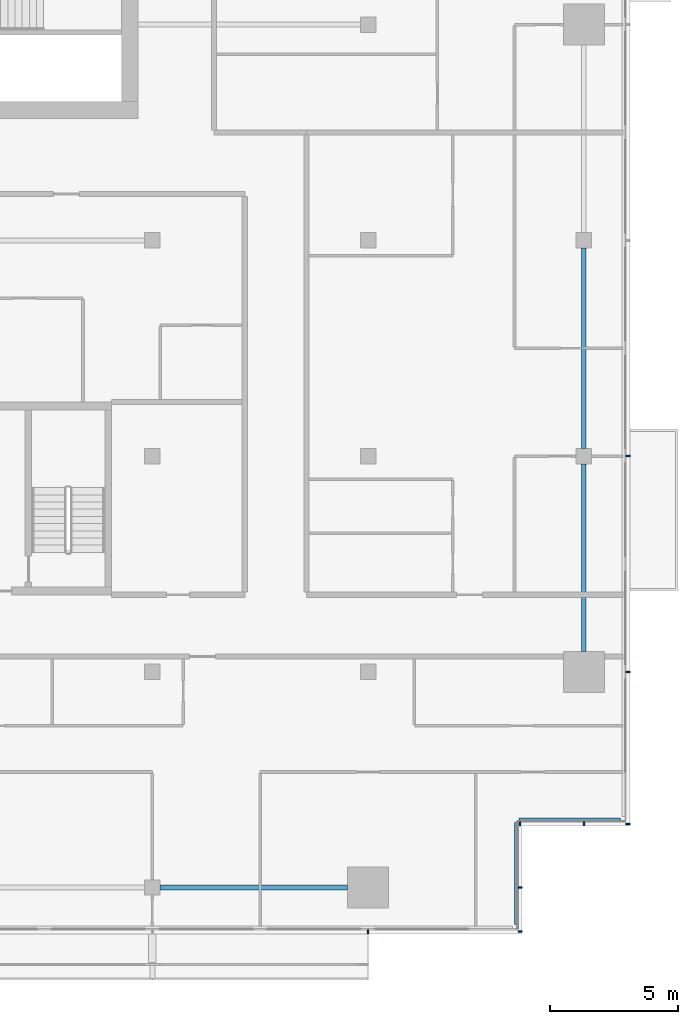
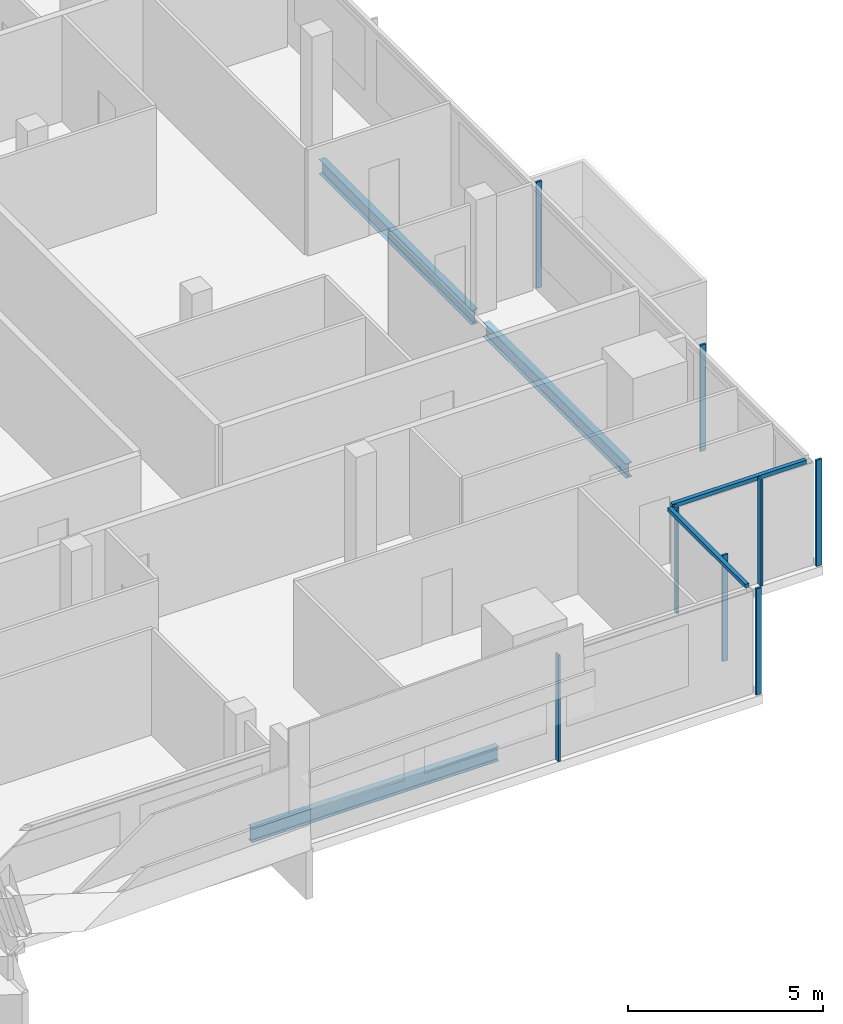
# One storey, part 11 of 27: 10 members, 3 beams, 4 elements without a shape of their own.
"""IFC4 building model written with IfcOpenShell, lengths in metres."""

from ifc_helpers import new_model, si_unit, direction, frame, origin, origin_2d, place, context, subcontext, project, spatial, rectangle, i_section, extrude, material, material_profile, profile_set, type_object, element, aggregate, save


model = new_model("IFC4")

# Units and contexts
model_context = context("Model", 3, precision=1e-05, world=origin(), true_north=direction((0.0, 1.0)))
body_context = subcontext(model_context, "Body", "Model", "MODEL_VIEW")
ifc_project = project(units=[si_unit("LENGTHUNIT", "METRE"), si_unit("AREAUNIT", "SQUARE_METRE"), si_unit("VOLUMEUNIT", "CUBIC_METRE"), si_unit("PLANEANGLEUNIT", "RADIAN"), si_unit("MASSUNIT", "GRAM", prefix="KILO")], contexts=[model_context])

# Site, building, storey
site_placement = place(None, origin())
site = spatial("IfcSite", under=ifc_project, at=site_placement, CompositionType="ELEMENT")
building_placement = place(site_placement, origin())
building = spatial("IfcBuilding", under=site, at=building_placement, Name="Saffron Gate Tower", CompositionType="ELEMENT")
storey_placement = place(building_placement, frame((0.0, 0.0, 234.300048828125)))
storey = spatial("IfcBuildingStorey", under=building, at=storey_placement, Name="L57", CompositionType="ELEMENT", Elevation=234.300048828125)

# Beams
ifc_material_1 = material(Name="Structural steel S355", Category="steel")
ifc_material_profile_1 = material_profile(ifc_material_1, i_section(OverallWidth=0.18994140625, OverallDepth=0.449951171875, WebThickness=0.009521484375, FlangeThickness=0.0146484375, FilletRadius=0.02099609375, at=origin_2d()))
ifc_profile_set_1 = profile_set([ifc_material_profile_1], Name="Structural steel S355")
beam_type = type_object("IfcBeamType", Name="B7 IPE 450", PredefinedType="SPANDREL", material=ifc_profile_set_1)
for number, where, z_axis, x_axis, name in (
    (1, (108.89990234375, 31.800048828125, -0.505126953125), (1.0, 0.0, 0.0), (0.0, 1.0, 0.0), "B7 SPANDREL BEAM"),
    (2, (125.39990234375, 41.0, -0.505126953125), (0.0, 1.0, 0.0), (-1.0, 0.0, 0.0), "B7 SPANDREL BEAM"),
):
    element("IfcBeam", number, at=place(storey_placement, frame(where, z_axis=z_axis, x_axis=x_axis)), inside=storey, type_object=beam_type, Name=name, PredefinedType="SPANDREL", context=body_context, shape_type="SweptSolid", body=[
        extrude(i_section(OverallWidth=0.18994140625, OverallDepth=0.449951171875, WebThickness=0.009521484375, FlangeThickness=0.0146484375, FilletRadius=0.02099609375, at=origin_2d()), origin(), (0.0, 0.0, 1.0), 7.300048828125),
    ])
beam_placement = place(storey_placement, frame((125.39990234375, 48.89990234375, -0.505126953125), z_axis=(0.0, 1.0, 0.0), x_axis=(-1.0, 0.0, 0.0)))
element("IfcBeam", 3, at=beam_placement, inside=storey, type_object=beam_type, Name="B7 SPANDREL BEAM", PredefinedType="SPANDREL", context=body_context, shape_type="SweptSolid", body=[
    extrude(i_section(OverallWidth=0.18994140625, OverallDepth=0.449951171875, WebThickness=0.009521484375, FlangeThickness=0.0146484375, FilletRadius=0.02099609375, at=origin_2d()), origin(), (0.0, 0.0, 1.0), 7.800048828125),
])

# Curtain wall, member
ifc_material_2 = material(Name="Aluminium, bronze anodised", Category="aluminium")
curtain_wall_type_1 = type_object("IfcCurtainWallType", Name="CWS1 curtain wall front facade", PredefinedType="NOTDEFINED", material=ifc_material_2)
curtain_wall_1_placement = place(storey_placement, origin())
curtain_wall_1 = element("IfcCurtainWall", 4, at=curtain_wall_1_placement, inside=storey, type_object=curtain_wall_type_1, Name="CWS1 run 1", PredefinedType="NOTDEFINED")
ifc_material_profile_2 = material_profile(ifc_material_2, rectangle(XDim=0.159912109375, YDim=0.06005859375, at=origin_2d()))
ifc_profile_set_2 = profile_set([ifc_material_profile_2], Name="Aluminium, bronze anodised")
member_type_1 = type_object("IfcMemberType", Name="CWS1 mullion 60x160", PredefinedType="MULLION", material=ifc_profile_set_2)
member_1_placement = place(storey_placement, frame((117.0, 30.080078125, 0.0), z_axis=(0.0, 0.0, 1.0), x_axis=(0.0, 1.0, 0.0)))
member_1 = element("IfcMember", 5, at=member_1_placement, type_object=member_type_1, Name="CWS1 mullion 9", PredefinedType="MULLION", context=body_context, shape_type="SweptSolid", body=[
    extrude(rectangle(XDim=0.159912109375, YDim=0.06005859375, at=origin_2d()), origin(), (0.0, 0.0, 1.0), 3.320068359375),
])
aggregate(curtain_wall_1, [member_1])

# Curtain wall, members
curtain_wall_type_2 = type_object("IfcCurtainWallType", Name="CWS2 curtain wall side facades", PredefinedType="NOTDEFINED", material=ifc_material_2)
curtain_wall_2_placement = place(storey_placement, origin())
curtain_wall_2 = element("IfcCurtainWall", 6, at=curtain_wall_2_placement, inside=storey, type_object=curtain_wall_type_2, Name="CWS2 run 4", PredefinedType="NOTDEFINED")
ifc_material_profile_3 = material_profile(ifc_material_2, rectangle(XDim=0.159912109375, YDim=0.06005859375, at=origin_2d()))
ifc_profile_set_3 = profile_set([ifc_material_profile_3], Name="Aluminium, bronze anodised")
member_type_2 = type_object("IfcMemberType", Name="CWS2 mullion 60x160", PredefinedType="MULLION", material=ifc_profile_set_3)
member_2_placement = place(storey_placement, frame((127.1201171875, 34.280029296875, 0.0), z_axis=(0.0, 0.0, 1.0), x_axis=(-1.0, 0.0, 0.0)))
member_2 = element("IfcMember", 7, at=member_2_placement, type_object=member_type_2, Name="CWS2 mullion 1", PredefinedType="MULLION", context=body_context, shape_type="SweptSolid", body=[
    extrude(rectangle(XDim=0.159912109375, YDim=0.06005859375, at=origin_2d()), origin(), (0.0, 0.0, 1.0), 3.320068359375),
])
member_3_placement = place(storey_placement, frame((127.1201171875, 40.199951171875, 0.0), z_axis=(0.0, 0.0, 1.0), x_axis=(-1.0, 0.0, 0.0)))
member_3 = element("IfcMember", 8, at=member_3_placement, type_object=member_type_2, Name="CWS2 mullion 2", PredefinedType="MULLION", context=body_context, shape_type="SweptSolid", body=[
    extrude(rectangle(XDim=0.159912109375, YDim=0.06005859375, at=origin_2d()), origin(), (0.0, 0.0, 1.0), 3.320068359375),
])
member_4_placement = place(storey_placement, frame((127.1201171875, 48.60009765625, 0.0), z_axis=(0.0, 0.0, 1.0), x_axis=(-1.0, 0.0, 0.0)))
member_4 = element("IfcMember", 9, at=member_4_placement, type_object=member_type_2, Name="CWS2 mullion 3", PredefinedType="MULLION", context=body_context, shape_type="SweptSolid", body=[
    extrude(rectangle(XDim=0.159912109375, YDim=0.06005859375, at=origin_2d()), origin(), (0.0, 0.0, 1.0), 3.320068359375),
])
aggregate(curtain_wall_2, [member_2, member_3, member_4])

# Curtain wall, member
curtain_wall_type_3 = type_object("IfcCurtainWallType", Name="CWS4 curtain wall corner returns", PredefinedType="NOTDEFINED", material=ifc_material_2)
curtain_wall_3_placement = place(storey_placement, origin())
curtain_wall_3 = element("IfcCurtainWall", 10, at=curtain_wall_3_placement, inside=storey, type_object=curtain_wall_type_3, Name="CWS4 run 2", PredefinedType="NOTDEFINED")
ifc_material_profile_4 = material_profile(ifc_material_2, rectangle(XDim=0.1201171875, YDim=0.1201171875, at=origin_2d()))
ifc_profile_set_4 = profile_set([ifc_material_profile_4], Name="Aluminium, bronze anodised")
member_type_3 = type_object("IfcMemberType", Name="CWS4 head transom", PredefinedType="USERDEFINED", material=ifc_profile_set_4)
member_5_placement = place(storey_placement, frame((122.751953125, 30.367919921875, 3.260009765625), z_axis=(0.0, 1.0, 0.0), x_axis=(-1.0, 0.0, 0.0)))
member_5 = element("IfcMember", 11, at=member_5_placement, type_object=member_type_3, Name="CWS4 head transom", ObjectType="TRANSOM", PredefinedType="USERDEFINED", context=body_context, shape_type="SweptSolid", body=[
    extrude(rectangle(XDim=0.1201171875, YDim=0.1201171875, at=origin_2d()), origin(), (0.0, 0.0, 1.0), 3.9599609375),
])

curtain_wall_4_placement = place(storey_placement, origin())
curtain_wall_4 = element("IfcCurtainWall", 12, at=curtain_wall_4_placement, inside=storey, type_object=curtain_wall_type_3, Name="CWS4 run 3", PredefinedType="NOTDEFINED")
member_6_placement = place(storey_placement, frame((122.8720703125, 34.447998046875, 3.260009765625), z_axis=(1.0, 0.0, 0.0), x_axis=(0.0, 1.0, 0.0)))
member_6 = element("IfcMember", 13, at=member_6_placement, type_object=member_type_3, Name="CWS4 head transom", ObjectType="TRANSOM", PredefinedType="USERDEFINED", context=body_context, shape_type="SweptSolid", body=[
    extrude(rectangle(XDim=0.1201171875, YDim=0.1201171875, at=origin_2d()), origin(), (0.0, 0.0, 1.0), 3.9599609375),
])

# Member
ifc_material_profile_5 = material_profile(ifc_material_2, rectangle(XDim=0.159912109375, YDim=0.06005859375, at=origin_2d()))
ifc_profile_set_5 = profile_set([ifc_material_profile_5], Name="Aluminium, bronze anodised")
member_type_4 = type_object("IfcMemberType", Name="CWS4 mullion 60x160", PredefinedType="MULLION", material=ifc_profile_set_5)
member_7_placement = place(storey_placement, frame((122.919921875, 30.080078125, 0.0), z_axis=(0.0, 0.0, 1.0), x_axis=(-1.0, 0.0, 0.0)))
member_7 = element("IfcMember", 14, at=member_7_placement, type_object=member_type_4, Name="CWS4 mullion 1", PredefinedType="MULLION", context=body_context, shape_type="SweptSolid", body=[
    extrude(rectangle(XDim=0.159912109375, YDim=0.06005859375, at=origin_2d()), origin(), (0.0, 0.0, 1.0), 3.320068359375),
])

member_8_placement = place(storey_placement, frame((122.919921875, 31.800048828125, 0.0), z_axis=(0.0, 0.0, 1.0), x_axis=(-1.0, 0.0, 0.0)))
member_8 = element("IfcMember", 15, at=member_8_placement, type_object=member_type_4, Name="CWS4 mullion 2", PredefinedType="MULLION", context=body_context, shape_type="SweptSolid", body=[
    extrude(rectangle(XDim=0.159912109375, YDim=0.06005859375, at=origin_2d()), origin(), (0.0, 0.0, 1.0), 3.320068359375),
])

aggregate(curtain_wall_3, [member_7, member_8, member_5])

member_9_placement = place(storey_placement, frame((122.919921875, 34.280029296875, 0.0), z_axis=(0.0, 0.0, 1.0), x_axis=(0.0, 1.0, 0.0)))
member_9 = element("IfcMember", 16, at=member_9_placement, type_object=member_type_4, Name="CWS4 mullion 1", PredefinedType="MULLION", context=body_context, shape_type="SweptSolid", body=[
    extrude(rectangle(XDim=0.159912109375, YDim=0.06005859375, at=origin_2d()), origin(), (0.0, 0.0, 1.0), 3.320068359375),
])

member_10_placement = place(storey_placement, frame((125.39990234375, 34.280029296875, 0.0), z_axis=(0.0, 0.0, 1.0), x_axis=(0.0, 1.0, 0.0)))
member_10 = element("IfcMember", 17, at=member_10_placement, type_object=member_type_4, Name="CWS4 mullion 2", PredefinedType="MULLION", context=body_context, shape_type="SweptSolid", body=[
    extrude(rectangle(XDim=0.159912109375, YDim=0.06005859375, at=origin_2d()), origin(), (0.0, 0.0, 1.0), 3.320068359375),
])

aggregate(curtain_wall_4, [member_9, member_10, member_6])

save(model, "model.ifc")
